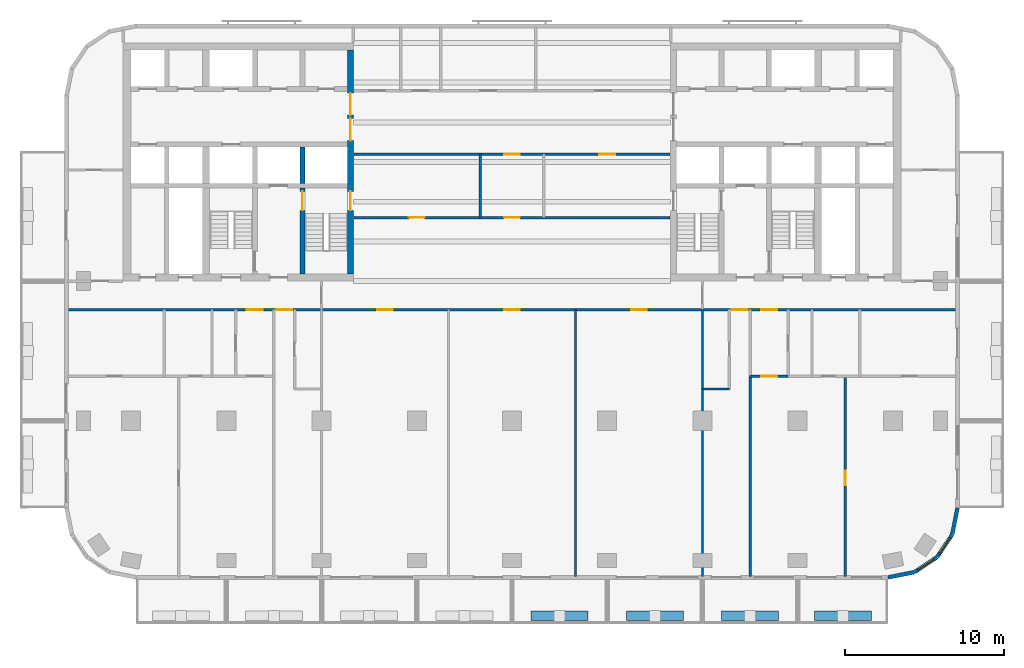
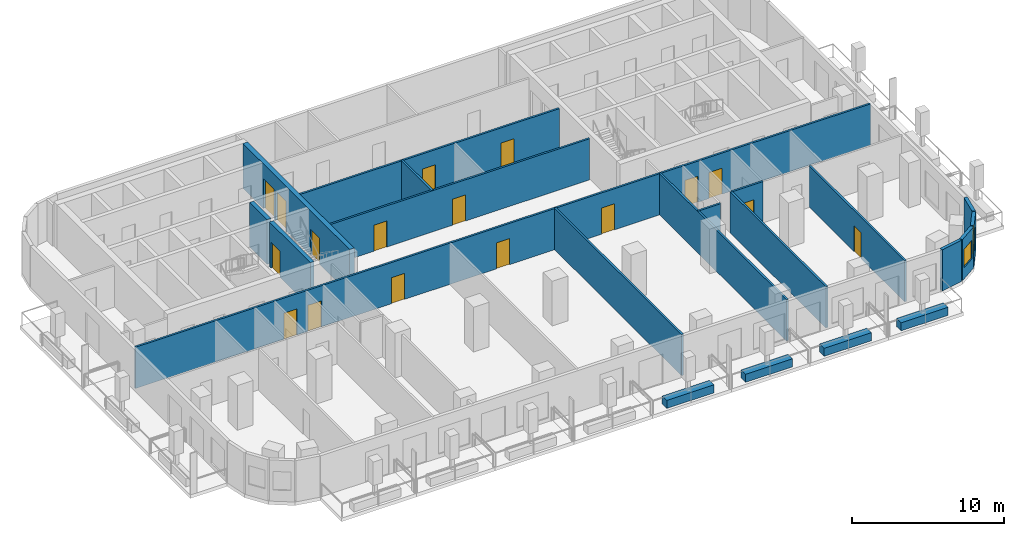
# One storey, part 4 of 11: 21 walls, 17 doors, 2 windows, 19 openings.
"""IFC4 building model written with IfcOpenShell, lengths in metres."""

from ifc_helpers import new_model, si_unit, direction, frame, frame_2d, origin, place, context, subcontext, project, spatial, rectangle, extrude, material, layer, layer_set, type_object, element, fill, save


model = new_model("IFC4")

# Units and contexts
model_context = context("Model", 3, precision=1e-05, world=origin(), true_north=direction((0.0, 1.0)))
body_context = subcontext(model_context, "Body", "Model", "MODEL_VIEW")
ifc_project = project(units=[si_unit("LENGTHUNIT", "METRE"), si_unit("AREAUNIT", "SQUARE_METRE"), si_unit("VOLUMEUNIT", "CUBIC_METRE"), si_unit("PLANEANGLEUNIT", "RADIAN"), si_unit("MASSUNIT", "GRAM", prefix="KILO")], contexts=[model_context])

# Site, building, storey
site_placement = place(None, origin())
site = spatial("IfcSite", under=ifc_project, at=site_placement, CompositionType="ELEMENT")
building_placement = place(site_placement, origin())
building = spatial("IfcBuilding", under=site, at=building_placement, Name="Torana Hotel and Residences", CompositionType="ELEMENT")
storey_placement = place(building_placement, frame((0.0, 0.0, 145.199951171875)))
storey = spatial("IfcBuildingStorey", under=building, at=storey_placement, Name="L37", CompositionType="ELEMENT", Elevation=145.199951171875)

# Wall
ifc_material_1 = material(Name="Concrete C70/85", Category="concrete")
ifc_layer_1 = layer(ifc_material_1, 0.300048828125)
ifc_layer_set_1 = layer_set([ifc_layer_1], Name="CORE WALL 300 C70/85")
wall_type_1 = type_object("IfcWallType", Name="CORE WALL 300 C70/85", PredefinedType="SHEAR", material=ifc_layer_set_1)
wall_1_placement = place(storey_placement, frame((-13.199951171875, -8.85009765625, 0.0), z_axis=(0.0, 0.0, 1.0), x_axis=(0.0, 1.0, 0.0)))
element("IfcWall", 1, at=wall_1_placement, inside=storey, type_object=wall_type_1, Name="Core wall W x3.05-S", PredefinedType="SHEAR", context=body_context, shape_type="SweptSolid", body=[
    extrude(rectangle(XDim=2.300048828125, YDim=0.300048828125, at=frame_2d((1.14990234375, 0.0))), origin(), (0.0, 0.0, 1.0), 3.60009765625),
])

# Wall, opening, door
wall_2_placement = place(storey_placement, frame((-13.199951171875, -14.550048828125, 0.0), z_axis=(0.0, 0.0, 1.0), x_axis=(0.0, 1.0, 0.0)))
wall_2 = element("IfcWall", 2, at=wall_2_placement, inside=storey, type_object=wall_type_1, Name="Core wall W x3.05-band", PredefinedType="SHEAR", context=body_context, shape_type="SweptSolid", body=[
    extrude(rectangle(XDim=5.400146484375, YDim=0.300048828125, at=frame_2d((2.7001953125, 0.0))), origin(), (0.0, 0.0, 1.0), 3.60009765625),
])
opening_1_placement = place(wall_2_placement, frame((4.0, 0.0, 0.0)))
opening_1 = element("IfcOpeningElement", 3, at=opening_1_placement, cuts=wall_2, Name="Opening L37-12", PredefinedType="OPENING", context=body_context, shape_type="SweptSolid", body=[
    extrude(rectangle(XDim=1.199951171875, YDim=2.10009765625, at=frame_2d((0.60009765625, 1.050048828125))), frame((0.0, 0.159912109375, 0.0), z_axis=(0.0, -1.0, 0.0), x_axis=(1.0, 0.0, 0.0)), (0.0, 0.0, 1.0), 0.320068359375),
])
ifc_material_2 = material(Name="Steel S235", Category="steel")
door_type_1 = type_object("IfcDoorType", Name="STAIR FIRE DOOR D3 1200x2100", OperationType="SINGLE_SWING_LEFT", PredefinedType="DOOR", material=ifc_material_2)
door_1_placement = place(opening_1_placement, frame((0.60009765625, 0.0, 0.0), z_axis=(0.0, 0.0, 1.0), x_axis=(-1.0, 0.0, 0.0)))
door_1 = element("IfcDoor", 4, at=door_1_placement, inside=storey, type_object=door_type_1, Name="Stair-A-lobby door L37", OperationType="SINGLE_SWING_RIGHT", OverallHeight=2.10009765625, OverallWidth=1.199951171875, PredefinedType="DOOR", context=body_context, shape_type="SweptSolid", body=[
    extrude(rectangle(XDim=1.199951171875, YDim=2.10009765625, at=frame_2d((0.0, 1.050048828125))), frame((0.0, -0.02490234375, 0.0), z_axis=(0.0, 1.0, 0.0), x_axis=(-1.0, 0.0, 0.0)), (0.0, 0.0, 1.0), 0.050048828125),
])
fill(opening_1, door_1)

# Wall, openings, doors
ifc_material_3 = material(Name="Concrete C70/85", Category="concrete")
ifc_layer_2 = layer(ifc_material_3, 0.35009765625)
ifc_layer_set_2 = layer_set([ifc_layer_2], Name="CORE WALL 350 C70/85")
wall_type_2 = type_object("IfcWallType", Name="CORE WALL 350 C70/85", PredefinedType="SHEAR", material=ifc_layer_set_2)
wall_3_placement = place(storey_placement, frame((-10.175048828125, -14.550048828125, 0.0), z_axis=(0.0, 0.0, 1.0), x_axis=(0.0, 1.0, 0.0)))
wall_3 = element("IfcWall", 5, at=wall_3_placement, inside=storey, type_object=wall_type_2, Name="Core wall W arch", PredefinedType="SHEAR", context=body_context, shape_type="SweptSolid", body=[
    extrude(rectangle(XDim=14.10009765625, YDim=0.35009765625, at=frame_2d((7.050048828125, 0.0))), origin(), (0.0, 0.0, 1.0), 3.60009765625),
])
opening_2_placement = place(wall_3_placement, frame((8.39990234375, 0.0, 0.0)))
opening_2 = element("IfcOpeningElement", 6, at=opening_2_placement, cuts=wall_3, Name="Opening L37-01", PredefinedType="OPENING", context=body_context, shape_type="SweptSolid", body=[
    extrude(rectangle(XDim=1.39990234375, YDim=2.39990234375, at=frame_2d((0.699951171875, 1.199951171875))), frame((0.0, 0.18505859375, 0.0), z_axis=(0.0, -1.0, 0.0), x_axis=(1.0, 0.0, 0.0)), (0.0, 0.0, 1.0), 0.3701171875),
])
opening_3_placement = place(wall_3_placement, frame((10.0, 0.0, 0.0)))
opening_3 = element("IfcOpeningElement", 7, at=opening_3_placement, cuts=wall_3, Name="Opening L37-02", PredefinedType="OPENING", context=body_context, shape_type="SweptSolid", body=[
    extrude(rectangle(XDim=1.39990234375, YDim=2.39990234375, at=frame_2d((0.699951171875, 1.199951171875))), frame((0.0, 0.18505859375, 0.0), z_axis=(0.0, -1.0, 0.0), x_axis=(1.0, 0.0, 0.0)), (0.0, 0.0, 1.0), 0.3701171875),
])
opening_4_placement = place(wall_3_placement, frame((4.0, 0.0, 0.0)))
opening_4 = element("IfcOpeningElement", 8, at=opening_4_placement, cuts=wall_3, Name="Opening L37-03", PredefinedType="OPENING", context=body_context, shape_type="SweptSolid", body=[
    extrude(rectangle(XDim=1.199951171875, YDim=2.10009765625, at=frame_2d((0.60009765625, 1.050048828125))), frame((0.0, 0.18505859375, 0.0), z_axis=(0.0, -1.0, 0.0), x_axis=(1.0, 0.0, 0.0)), (0.0, 0.0, 1.0), 0.3701171875),
])
ifc_material_4 = material(Name="Steel S235", Category="steel")
door_type_2 = type_object("IfcDoorType", Name="LOBBY FIRE DOOR D4 1400x2400", OperationType="DOUBLE_DOOR_SINGLE_SWING", PredefinedType="DOOR", material=ifc_material_4)
door_2_placement = place(opening_2_placement, origin())
door_2 = element("IfcDoor", 9, at=door_2_placement, inside=storey, type_object=door_type_2, Name="Lobby-1 door L37", OperationType="DOUBLE_DOOR_SINGLE_SWING", OverallHeight=2.39990234375, OverallWidth=1.39990234375, PredefinedType="DOOR", context=body_context, shape_type="SweptSolid", body=[
    extrude(rectangle(XDim=1.39990234375, YDim=2.39990234375, at=frame_2d((0.699951171875, 1.199951171875))), frame((0.0, 0.02490234375, 0.0), z_axis=(0.0, -1.0, 0.0), x_axis=(1.0, 0.0, 0.0)), (0.0, 0.0, 1.0), 0.050048828125),
])
fill(opening_2, door_2)
door_3_placement = place(opening_3_placement, origin())
door_3 = element("IfcDoor", 10, at=door_3_placement, inside=storey, type_object=door_type_2, Name="Lobby-2 door L37", OperationType="DOUBLE_DOOR_SINGLE_SWING", OverallHeight=2.39990234375, OverallWidth=1.39990234375, PredefinedType="DOOR", context=body_context, shape_type="SweptSolid", body=[
    extrude(rectangle(XDim=1.39990234375, YDim=2.39990234375, at=frame_2d((0.699951171875, 1.199951171875))), frame((0.0, 0.02490234375, 0.0), z_axis=(0.0, -1.0, 0.0), x_axis=(1.0, 0.0, 0.0)), (0.0, 0.0, 1.0), 0.050048828125),
])
fill(opening_3, door_3)
door_4_placement = place(opening_4_placement, origin())
door_4 = element("IfcDoor", 11, at=door_4_placement, inside=storey, type_object=door_type_1, Name="Stair-A door L37", OperationType="SINGLE_SWING_LEFT", OverallHeight=2.10009765625, OverallWidth=1.199951171875, PredefinedType="DOOR", context=body_context, shape_type="SweptSolid", body=[
    extrude(rectangle(XDim=1.199951171875, YDim=2.10009765625, at=frame_2d((0.60009765625, 1.050048828125))), frame((0.0, 0.02490234375, 0.0), z_axis=(0.0, -1.0, 0.0), x_axis=(1.0, 0.0, 0.0)), (0.0, 0.0, 1.0), 0.050048828125),
])
fill(opening_4, door_4)

# Wall
ifc_material_5 = material(Name="Black aluminium composite panel", Category="aluminium")
ifc_layer_3 = layer(ifc_material_5, 0.00390625, Name="Cladding", Category="cladding")
ifc_material_6 = material(Name="Ventilated air cavity")
ifc_layer_4 = layer(ifc_material_6, 0.0400390625, Name="Ventilated cavity", Category="cavity")
ifc_material_7 = material(Name="Mineral wool insulation")
ifc_layer_5 = layer(ifc_material_7, 0.090087890625, Name="Insulation", Category="insulation")
ifc_material_8 = material(Name="Steel S280GD", Category="steel")
ifc_layer_6 = layer(ifc_material_8, 0.092041015625, Name="Steel stud frame", Category="structure")
ifc_material_9 = material(Name="Fire rated plasterboard")
ifc_layer_7 = layer(ifc_material_9, 0.011962890625, Name="Inner board", Category="finish")
ifc_layer_8 = layer(ifc_material_9, 0.011962890625, Name="Second board", Category="finish")
ifc_layer_set_3 = layer_set([ifc_layer_3, ifc_layer_4, ifc_layer_5, ifc_layer_6, ifc_layer_7, ifc_layer_8], Name="EW1 EXTERNAL WALL BLACK METAL CLAD 250")
wall_type_3 = type_object("IfcWallType", Name="EW1 EXTERNAL WALL BLACK METAL CLAD 250", PredefinedType="SOLIDWALL", material=ifc_layer_set_3)
wall_4_placement = place(storey_placement, frame((23.69970703125, -33.672607421875, 0.0), z_axis=(0.0, 0.0, 1.0), x_axis=(0.980775640221, 0.19513878023, 0.0)))
element("IfcWall", 12, at=wall_4_placement, inside=storey, type_object=wall_type_3, Name="External wall L37 e0.15", PredefinedType="SOLIDWALL", context=body_context, shape_type="SweptSolid", body=[
    extrude(rectangle(XDim=1.681396484375, YDim=0.25, at=frame_2d((0.8408203125, 0.0))), origin(), (0.0, 0.0, 1.0), 3.320068359375),
])

# Wall, opening, window
wall_5_placement = place(storey_placement, frame((25.39404296875, -33.325927734375, 0.0), z_axis=(0.0, 0.0, 1.0), x_axis=(0.831482937015, 0.55555029066, 0.0)))
wall_5 = element("IfcWall", 13, at=wall_5_placement, inside=storey, type_object=wall_type_3, Name="External wall L37 e0.16", PredefinedType="SOLIDWALL", context=body_context, shape_type="SweptSolid", body=[
    extrude(rectangle(XDim=1.65625, YDim=0.25, at=frame_2d((0.828125, 0.0))), origin(), (0.0, 0.0, 1.0), 3.320068359375),
])
opening_5_placement = place(wall_5_placement, frame((0.228271484375, 0.0, 0.89990234375)))
opening_5 = element("IfcOpeningElement", 14, at=opening_5_placement, cuts=wall_5, Name="Opening W5", PredefinedType="OPENING", context=body_context, shape_type="SweptSolid", body=[
    extrude(rectangle(XDim=1.199951171875, YDim=1.5, at=frame_2d((0.60009765625, 0.75))), frame((0.0, 0.135009765625, 0.0), z_axis=(0.0, -1.0, 0.0), x_axis=(1.0, 0.0, 0.0)), (0.0, 0.0, 1.0), 0.27001953125),
])
ifc_material_10 = material(Name="Dark glass in black aluminium frame", Category="aluminium")
window_type = type_object("IfcWindowType", Name="W5 CORNER FACET WINDOW 1200x1500", PartitioningType="SINGLE_PANEL", PredefinedType="WINDOW", material=ifc_material_10)
window_1_placement = place(opening_5_placement, origin())
window_1 = element("IfcWindow", 15, at=window_1_placement, inside=storey, type_object=window_type, Name="Window L37 e0.16", OverallHeight=1.5, OverallWidth=1.199951171875, PartitioningType="SINGLE_PANEL", PredefinedType="WINDOW", context=body_context, shape_type="SweptSolid", body=[
    extrude(rectangle(XDim=1.199951171875, YDim=1.5, at=frame_2d((0.60009765625, 0.75))), frame((0.0, 0.030029296875, 0.0), z_axis=(0.0, -1.0, 0.0), x_axis=(1.0, 0.0, 0.0)), (0.0, 0.0, 1.0), 0.06005859375),
])
fill(opening_5, window_1)

wall_6_placement = place(storey_placement, frame((26.8056640625, -32.37109375, 0.0), z_axis=(0.0, 0.0, 1.0), x_axis=(0.55555029066, 0.831482937015, 0.0)))
wall_6 = element("IfcWall", 16, at=wall_6_placement, inside=storey, type_object=wall_type_3, Name="External wall L37 e0.17", PredefinedType="SOLIDWALL", context=body_context, shape_type="SweptSolid", body=[
    extrude(rectangle(XDim=1.65625, YDim=0.25, at=frame_2d((0.828125, 0.0))), origin(), (0.0, 0.0, 1.0), 3.320068359375),
])
opening_6_placement = place(wall_6_placement, frame((0.228271484375, 0.0, 0.89990234375)))
opening_6 = element("IfcOpeningElement", 17, at=opening_6_placement, cuts=wall_6, Name="Opening W5", PredefinedType="OPENING", context=body_context, shape_type="SweptSolid", body=[
    extrude(rectangle(XDim=1.199951171875, YDim=1.5, at=frame_2d((0.60009765625, 0.75))), frame((0.0, 0.135009765625, 0.0), z_axis=(0.0, -1.0, 0.0), x_axis=(1.0, 0.0, 0.0)), (0.0, 0.0, 1.0), 0.27001953125),
])
window_2_placement = place(opening_6_placement, origin())
window_2 = element("IfcWindow", 18, at=window_2_placement, inside=storey, type_object=window_type, Name="Window L37 e0.17", OverallHeight=1.5, OverallWidth=1.199951171875, PartitioningType="SINGLE_PANEL", PredefinedType="WINDOW", context=body_context, shape_type="SweptSolid", body=[
    extrude(rectangle(XDim=1.199951171875, YDim=1.5, at=frame_2d((0.60009765625, 0.75))), frame((0.0, 0.030029296875, 0.0), z_axis=(0.0, -1.0, 0.0), x_axis=(1.0, 0.0, 0.0)), (0.0, 0.0, 1.0), 0.06005859375),
])
fill(opening_6, window_2)

# Walls
wall_7_placement = place(storey_placement, frame((27.74462890625, -30.948974609375, 0.0), z_axis=(0.0, 0.0, 1.0), x_axis=(0.194999110559, 0.980803419081, 0.0)))
element("IfcWall", 19, at=wall_7_placement, inside=storey, type_object=wall_type_3, Name="External wall L37 e0.18", PredefinedType="SOLIDWALL", context=body_context, shape_type="SweptSolid", body=[
    extrude(rectangle(XDim=1.681396484375, YDim=0.25, at=frame_2d((0.8408203125, 0.0))), origin(), (0.0, 0.0, 1.0), 3.320068359375),
])
ifc_material_11 = material(Name="Gypsum plaster")
ifc_layer_9 = layer(ifc_material_11, 0.014892578125, Name="Plaster", Category="finish")
ifc_material_12 = material(Name="Concrete blockwork", Category="masonry")
ifc_layer_10 = layer(ifc_material_12, 0.1201171875, Name="Blockwork", Category="structure")
ifc_layer_11 = layer(ifc_material_11, 0.014892578125, Name="Plaster", Category="finish")
ifc_layer_set_4 = layer_set([ifc_layer_9, ifc_layer_10, ifc_layer_11], Name="FIRE PARTITION 150 BLOCKWORK")
wall_type_4 = type_object("IfcWallType", Name="FIRE PARTITION 150 BLOCKWORK", PredefinedType="PARTITIONING", material=ifc_layer_set_4)
wall_8_placement = place(storey_placement, frame((-2.0, -11.0, 0.0), z_axis=(0.0, 0.0, 1.0), x_axis=(0.0, 1.0, 0.0)))
element("IfcWall", 20, at=wall_8_placement, inside=storey, type_object=wall_type_4, Name="Partition L37", PredefinedType="PARTITIONING", context=body_context, shape_type="SweptSolid", body=[
    extrude(rectangle(XDim=4.0, YDim=0.14990234375, at=frame_2d((2.0, 0.0))), origin(), (0.0, 0.0, 1.0), 3.320068359375),
])

# Wall, opening, door
wall_9_placement = place(storey_placement, frame((15.0, -21.0, 0.0), z_axis=(0.0, 0.0, 1.0), x_axis=(1.0, 0.0, 0.0)))
wall_9 = element("IfcWall", 21, at=wall_9_placement, inside=storey, type_object=wall_type_4, Name="Partition L37", PredefinedType="PARTITIONING", context=body_context, shape_type="SweptSolid", body=[
    extrude(rectangle(XDim=2.39990234375, YDim=0.14990234375, at=frame_2d((1.199951171875, 0.0))), origin(), (0.0, 0.0, 1.0), 3.320068359375),
])
opening_7_placement = place(wall_9_placement, frame((0.699951171875, 0.0, 0.0)))
opening_7 = element("IfcOpeningElement", 22, at=opening_7_placement, cuts=wall_9, Name="Opening L37-54", PredefinedType="OPENING", context=body_context, shape_type="SweptSolid", body=[
    extrude(rectangle(XDim=1.0, YDim=2.10009765625, at=frame_2d((0.5, 1.050048828125))), frame((0.0, 0.0849609375, 0.0), z_axis=(0.0, -1.0, 0.0), x_axis=(1.0, 0.0, 0.0)), (0.0, 0.0, 1.0), 0.169921875),
])
ifc_material_13 = material(Name="Steel S235", Category="steel")
door_type_3 = type_object("IfcDoorType", Name="ENTRY FIRE DOOR D6 1000x2100", OperationType="SINGLE_SWING_LEFT", PredefinedType="DOOR", material=ifc_material_13)
door_5_placement = place(opening_7_placement, frame((0.5, 0.0, 0.0), z_axis=(0.0, 0.0, 1.0), x_axis=(-1.0, 0.0, 0.0)))
door_5 = element("IfcDoor", 23, at=door_5_placement, inside=storey, type_object=door_type_3, Name="Door L37", OperationType="SINGLE_SWING_LEFT", OverallHeight=2.10009765625, OverallWidth=1.0, PredefinedType="DOOR", context=body_context, shape_type="SweptSolid", body=[
    extrude(rectangle(XDim=1.0, YDim=2.10009765625, at=frame_2d((0.0, 1.050048828125))), frame((0.0, -0.02490234375, 0.0), z_axis=(0.0, 1.0, 0.0), x_axis=(-1.0, 0.0, 0.0)), (0.0, 0.0, 1.0), 0.050048828125),
])
fill(opening_7, door_5)

# Wall, openings, doors
wall_10_placement = place(storey_placement, frame((-28.02001953125, -16.800048828125, 0.0), z_axis=(0.0, 0.0, 1.0), x_axis=(1.0, 0.0, 0.0)))
wall_10 = element("IfcWall", 24, at=wall_10_placement, inside=storey, type_object=wall_type_4, Name="Partition L37", PredefinedType="PARTITIONING", context=body_context, shape_type="SweptSolid", body=[
    extrude(rectangle(XDim=56.0400390625, YDim=0.14990234375, at=frame_2d((28.02001953125, 0.0))), origin(), (0.0, 0.0, 1.0), 3.320068359375),
])
opening_8_placement = place(wall_10_placement, frame((13.169921875, 0.0, 0.0)))
opening_8 = element("IfcOpeningElement", 25, at=opening_8_placement, cuts=wall_10, Name="Opening L37-28", PredefinedType="OPENING", context=body_context, shape_type="SweptSolid", body=[
    extrude(rectangle(XDim=1.0, YDim=2.10009765625, at=frame_2d((0.5, 1.050048828125))), frame((0.0, 0.0849609375, 0.0), z_axis=(0.0, -1.0, 0.0), x_axis=(1.0, 0.0, 0.0)), (0.0, 0.0, 1.0), 0.169921875),
])
opening_9_placement = place(wall_10_placement, frame((11.320068359375, 0.0, 0.0)))
opening_9 = element("IfcOpeningElement", 26, at=opening_9_placement, cuts=wall_10, Name="Opening L37-29", PredefinedType="OPENING", context=body_context, shape_type="SweptSolid", body=[
    extrude(rectangle(XDim=1.0, YDim=2.10009765625, at=frame_2d((0.5, 1.050048828125))), frame((0.0, 0.0849609375, 0.0), z_axis=(0.0, -1.0, 0.0), x_axis=(1.0, 0.0, 0.0)), (0.0, 0.0, 1.0), 0.169921875),
])
opening_10_placement = place(wall_10_placement, frame((41.8701171875, 0.0, 0.0)))
opening_10 = element("IfcOpeningElement", 27, at=opening_10_placement, cuts=wall_10, Name="Opening L37-32", PredefinedType="OPENING", context=body_context, shape_type="SweptSolid", body=[
    extrude(rectangle(XDim=1.0, YDim=2.10009765625, at=frame_2d((0.5, 1.050048828125))), frame((0.0, 0.0849609375, 0.0), z_axis=(0.0, -1.0, 0.0), x_axis=(1.0, 0.0, 0.0)), (0.0, 0.0, 1.0), 0.169921875),
])
opening_11_placement = place(wall_10_placement, frame((43.719970703125, 0.0, 0.0)))
opening_11 = element("IfcOpeningElement", 28, at=opening_11_placement, cuts=wall_10, Name="Opening L37-33", PredefinedType="OPENING", context=body_context, shape_type="SweptSolid", body=[
    extrude(rectangle(XDim=1.0, YDim=2.10009765625, at=frame_2d((0.5, 1.050048828125))), frame((0.0, 0.0849609375, 0.0), z_axis=(0.0, -1.0, 0.0), x_axis=(1.0, 0.0, 0.0)), (0.0, 0.0, 1.0), 0.169921875),
])
opening_12_placement = place(wall_10_placement, frame((19.52001953125, 0.0, 0.0)))
opening_12 = element("IfcOpeningElement", 29, at=opening_12_placement, cuts=wall_10, Name="Opening L37-36", PredefinedType="OPENING", context=body_context, shape_type="SweptSolid", body=[
    extrude(rectangle(XDim=1.0, YDim=2.10009765625, at=frame_2d((0.5, 1.050048828125))), frame((0.0, 0.0849609375, 0.0), z_axis=(0.0, -1.0, 0.0), x_axis=(1.0, 0.0, 0.0)), (0.0, 0.0, 1.0), 0.169921875),
])
opening_13_placement = place(wall_10_placement, frame((27.52001953125, 0.0, 0.0)))
opening_13 = element("IfcOpeningElement", 30, at=opening_13_placement, cuts=wall_10, Name="Opening L37-37", PredefinedType="OPENING", context=body_context, shape_type="SweptSolid", body=[
    extrude(rectangle(XDim=1.0, YDim=2.10009765625, at=frame_2d((0.5, 1.050048828125))), frame((0.0, 0.0849609375, 0.0), z_axis=(0.0, -1.0, 0.0), x_axis=(1.0, 0.0, 0.0)), (0.0, 0.0, 1.0), 0.169921875),
])
opening_14_placement = place(wall_10_placement, frame((35.52001953125, 0.0, 0.0)))
opening_14 = element("IfcOpeningElement", 31, at=opening_14_placement, cuts=wall_10, Name="Opening L37-38", PredefinedType="OPENING", context=body_context, shape_type="SweptSolid", body=[
    extrude(rectangle(XDim=1.0, YDim=2.10009765625, at=frame_2d((0.5, 1.050048828125))), frame((0.0, 0.0849609375, 0.0), z_axis=(0.0, -1.0, 0.0), x_axis=(1.0, 0.0, 0.0)), (0.0, 0.0, 1.0), 0.169921875),
])
door_6_placement = place(opening_8_placement, frame((0.5, 0.0, 0.0), z_axis=(0.0, 0.0, 1.0), x_axis=(-1.0, 0.0, 0.0)))
door_6 = element("IfcDoor", 32, at=door_6_placement, inside=storey, type_object=door_type_3, Name="Door L37", OperationType="SINGLE_SWING_LEFT", OverallHeight=2.10009765625, OverallWidth=1.0, PredefinedType="DOOR", context=body_context, shape_type="SweptSolid", body=[
    extrude(rectangle(XDim=1.0, YDim=2.10009765625, at=frame_2d((0.0, 1.050048828125))), frame((0.0, -0.02490234375, 0.0), z_axis=(0.0, 1.0, 0.0), x_axis=(-1.0, 0.0, 0.0)), (0.0, 0.0, 1.0), 0.050048828125),
])
fill(opening_8, door_6)
door_7_placement = place(opening_9_placement, origin())
door_7 = element("IfcDoor", 33, at=door_7_placement, inside=storey, type_object=door_type_3, Name="Door L37", OperationType="SINGLE_SWING_RIGHT", OverallHeight=2.10009765625, OverallWidth=1.0, PredefinedType="DOOR", context=body_context, shape_type="SweptSolid", body=[
    extrude(rectangle(XDim=1.0, YDim=2.10009765625, at=frame_2d((0.5, 1.050048828125))), frame((0.0, 0.02490234375, 0.0), z_axis=(0.0, -1.0, 0.0), x_axis=(1.0, 0.0, 0.0)), (0.0, 0.0, 1.0), 0.050048828125),
])
fill(opening_9, door_7)
door_8_placement = place(opening_10_placement, frame((0.5, 0.0, 0.0), z_axis=(0.0, 0.0, 1.0), x_axis=(-1.0, 0.0, 0.0)))
door_8 = element("IfcDoor", 34, at=door_8_placement, inside=storey, type_object=door_type_3, Name="Door L37", OperationType="SINGLE_SWING_LEFT", OverallHeight=2.10009765625, OverallWidth=1.0, PredefinedType="DOOR", context=body_context, shape_type="SweptSolid", body=[
    extrude(rectangle(XDim=1.0, YDim=2.10009765625, at=frame_2d((0.0, 1.050048828125))), frame((0.0, -0.02490234375, 0.0), z_axis=(0.0, 1.0, 0.0), x_axis=(-1.0, 0.0, 0.0)), (0.0, 0.0, 1.0), 0.050048828125),
])
fill(opening_10, door_8)
door_9_placement = place(opening_11_placement, origin())
door_9 = element("IfcDoor", 35, at=door_9_placement, inside=storey, type_object=door_type_3, Name="Door L37", OperationType="SINGLE_SWING_RIGHT", OverallHeight=2.10009765625, OverallWidth=1.0, PredefinedType="DOOR", context=body_context, shape_type="SweptSolid", body=[
    extrude(rectangle(XDim=1.0, YDim=2.10009765625, at=frame_2d((0.5, 1.050048828125))), frame((0.0, 0.02490234375, 0.0), z_axis=(0.0, -1.0, 0.0), x_axis=(1.0, 0.0, 0.0)), (0.0, 0.0, 1.0), 0.050048828125),
])
fill(opening_11, door_9)
door_10_placement = place(opening_12_placement, frame((0.5, 0.0, 0.0), z_axis=(0.0, 0.0, 1.0), x_axis=(-1.0, 0.0, 0.0)))
door_10 = element("IfcDoor", 36, at=door_10_placement, inside=storey, type_object=door_type_3, Name="Door L37", OperationType="SINGLE_SWING_LEFT", OverallHeight=2.10009765625, OverallWidth=1.0, PredefinedType="DOOR", context=body_context, shape_type="SweptSolid", body=[
    extrude(rectangle(XDim=1.0, YDim=2.10009765625, at=frame_2d((0.0, 1.050048828125))), frame((0.0, -0.02490234375, 0.0), z_axis=(0.0, 1.0, 0.0), x_axis=(-1.0, 0.0, 0.0)), (0.0, 0.0, 1.0), 0.050048828125),
])
fill(opening_12, door_10)
door_11_placement = place(opening_13_placement, frame((0.5, 0.0, 0.0), z_axis=(0.0, 0.0, 1.0), x_axis=(-1.0, 0.0, 0.0)))
door_11 = element("IfcDoor", 37, at=door_11_placement, inside=storey, type_object=door_type_3, Name="Door L37", OperationType="SINGLE_SWING_LEFT", OverallHeight=2.10009765625, OverallWidth=1.0, PredefinedType="DOOR", context=body_context, shape_type="SweptSolid", body=[
    extrude(rectangle(XDim=1.0, YDim=2.10009765625, at=frame_2d((0.0, 1.050048828125))), frame((0.0, -0.02490234375, 0.0), z_axis=(0.0, 1.0, 0.0), x_axis=(-1.0, 0.0, 0.0)), (0.0, 0.0, 1.0), 0.050048828125),
])
fill(opening_13, door_11)
door_12_placement = place(opening_14_placement, frame((0.5, 0.0, 0.0), z_axis=(0.0, 0.0, 1.0), x_axis=(-1.0, 0.0, 0.0)))
door_12 = element("IfcDoor", 38, at=door_12_placement, inside=storey, type_object=door_type_3, Name="Door L37", OperationType="SINGLE_SWING_LEFT", OverallHeight=2.10009765625, OverallWidth=1.0, PredefinedType="DOOR", context=body_context, shape_type="SweptSolid", body=[
    extrude(rectangle(XDim=1.0, YDim=2.10009765625, at=frame_2d((0.0, 1.050048828125))), frame((0.0, -0.02490234375, 0.0), z_axis=(0.0, 1.0, 0.0), x_axis=(-1.0, 0.0, 0.0)), (0.0, 0.0, 1.0), 0.050048828125),
])
fill(opening_14, door_12)

wall_11_placement = place(storey_placement, frame((-9.949951171875, -11.0, 0.0), z_axis=(0.0, 0.0, 1.0), x_axis=(1.0, 0.0, 0.0)))
wall_11 = element("IfcWall", 39, at=wall_11_placement, inside=storey, type_object=wall_type_4, Name="Partition L37", PredefinedType="PARTITIONING", context=body_context, shape_type="SweptSolid", body=[
    extrude(rectangle(XDim=19.89990234375, YDim=0.14990234375, at=frame_2d((9.949951171875, 0.0))), origin(), (0.0, 0.0, 1.0), 3.320068359375),
])
opening_15_placement = place(wall_11_placement, frame((9.449951171875, 0.0, 0.0)))
opening_15 = element("IfcOpeningElement", 40, at=opening_15_placement, cuts=wall_11, Name="Opening L37-35", PredefinedType="OPENING", context=body_context, shape_type="SweptSolid", body=[
    extrude(rectangle(XDim=1.0, YDim=2.10009765625, at=frame_2d((0.5, 1.050048828125))), frame((0.0, 0.0849609375, 0.0), z_axis=(0.0, -1.0, 0.0), x_axis=(1.0, 0.0, 0.0)), (0.0, 0.0, 1.0), 0.169921875),
])
opening_16_placement = place(wall_11_placement, frame((3.449951171875, 0.0, 0.0)))
opening_16 = element("IfcOpeningElement", 41, at=opening_16_placement, cuts=wall_11, Name="Opening L37-39", PredefinedType="OPENING", context=body_context, shape_type="SweptSolid", body=[
    extrude(rectangle(XDim=1.0, YDim=2.10009765625, at=frame_2d((0.5, 1.050048828125))), frame((0.0, 0.0849609375, 0.0), z_axis=(0.0, -1.0, 0.0), x_axis=(1.0, 0.0, 0.0)), (0.0, 0.0, 1.0), 0.169921875),
])
door_13_placement = place(opening_15_placement, origin())
door_13 = element("IfcDoor", 42, at=door_13_placement, inside=storey, type_object=door_type_3, Name="Door L37", OperationType="SINGLE_SWING_RIGHT", OverallHeight=2.10009765625, OverallWidth=1.0, PredefinedType="DOOR", context=body_context, shape_type="SweptSolid", body=[
    extrude(rectangle(XDim=1.0, YDim=2.10009765625, at=frame_2d((0.5, 1.050048828125))), frame((0.0, 0.02490234375, 0.0), z_axis=(0.0, -1.0, 0.0), x_axis=(1.0, 0.0, 0.0)), (0.0, 0.0, 1.0), 0.050048828125),
])
fill(opening_15, door_13)
door_14_placement = place(opening_16_placement, origin())
door_14 = element("IfcDoor", 43, at=door_14_placement, inside=storey, type_object=door_type_3, Name="Door L37", OperationType="SINGLE_SWING_RIGHT", OverallHeight=2.10009765625, OverallWidth=1.0, PredefinedType="DOOR", context=body_context, shape_type="SweptSolid", body=[
    extrude(rectangle(XDim=1.0, YDim=2.10009765625, at=frame_2d((0.5, 1.050048828125))), frame((0.0, 0.02490234375, 0.0), z_axis=(0.0, -1.0, 0.0), x_axis=(1.0, 0.0, 0.0)), (0.0, 0.0, 1.0), 0.050048828125),
])
fill(opening_16, door_14)

wall_12_placement = place(storey_placement, frame((-9.949951171875, -7.0, 0.0), z_axis=(0.0, 0.0, 1.0), x_axis=(1.0, 0.0, 0.0)))
wall_12 = element("IfcWall", 44, at=wall_12_placement, inside=storey, type_object=wall_type_4, Name="Partition L37", PredefinedType="PARTITIONING", context=body_context, shape_type="SweptSolid", body=[
    extrude(rectangle(XDim=19.89990234375, YDim=0.14990234375, at=frame_2d((9.949951171875, 0.0))), origin(), (0.0, 0.0, 1.0), 3.320068359375),
])
opening_17_placement = place(wall_12_placement, frame((9.449951171875, 0.0, 0.0)))
opening_17 = element("IfcOpeningElement", 45, at=opening_17_placement, cuts=wall_12, Name="Opening L37-40", PredefinedType="OPENING", context=body_context, shape_type="SweptSolid", body=[
    extrude(rectangle(XDim=1.0, YDim=2.10009765625, at=frame_2d((0.5, 1.050048828125))), frame((0.0, 0.0849609375, 0.0), z_axis=(0.0, -1.0, 0.0), x_axis=(1.0, 0.0, 0.0)), (0.0, 0.0, 1.0), 0.169921875),
])
opening_18_placement = place(wall_12_placement, frame((15.449951171875, 0.0, 0.0)))
opening_18 = element("IfcOpeningElement", 46, at=opening_18_placement, cuts=wall_12, Name="Opening L37-41", PredefinedType="OPENING", context=body_context, shape_type="SweptSolid", body=[
    extrude(rectangle(XDim=1.0, YDim=2.10009765625, at=frame_2d((0.5, 1.050048828125))), frame((0.0, 0.0849609375, 0.0), z_axis=(0.0, -1.0, 0.0), x_axis=(1.0, 0.0, 0.0)), (0.0, 0.0, 1.0), 0.169921875),
])
door_15_placement = place(opening_17_placement, origin())
door_15 = element("IfcDoor", 47, at=door_15_placement, inside=storey, type_object=door_type_3, Name="Door L37", OperationType="SINGLE_SWING_RIGHT", OverallHeight=2.10009765625, OverallWidth=1.0, PredefinedType="DOOR", context=body_context, shape_type="SweptSolid", body=[
    extrude(rectangle(XDim=1.0, YDim=2.10009765625, at=frame_2d((0.5, 1.050048828125))), frame((0.0, 0.02490234375, 0.0), z_axis=(0.0, -1.0, 0.0), x_axis=(1.0, 0.0, 0.0)), (0.0, 0.0, 1.0), 0.050048828125),
])
fill(opening_17, door_15)
door_16_placement = place(opening_18_placement, frame((0.5, 0.0, 0.0), z_axis=(0.0, 0.0, 1.0), x_axis=(-1.0, 0.0, 0.0)))
door_16 = element("IfcDoor", 48, at=door_16_placement, inside=storey, type_object=door_type_3, Name="Door L37", OperationType="SINGLE_SWING_LEFT", OverallHeight=2.10009765625, OverallWidth=1.0, PredefinedType="DOOR", context=body_context, shape_type="SweptSolid", body=[
    extrude(rectangle(XDim=1.0, YDim=2.10009765625, at=frame_2d((0.0, 1.050048828125))), frame((0.0, -0.02490234375, 0.0), z_axis=(0.0, 1.0, 0.0), x_axis=(-1.0, 0.0, 0.0)), (0.0, 0.0, 1.0), 0.050048828125),
])
fill(opening_18, door_16)

# Wall, opening, door
ifc_material_14 = material(Name="Gypsum plasterboard")
ifc_layer_12 = layer(ifc_material_14, 0.012451171875, Name="Plasterboard", Category="finish")
ifc_layer_13 = layer(ifc_material_14, 0.012451171875, Name="Plasterboard", Category="finish")
ifc_layer_14 = layer(ifc_material_8, 0.10009765625, Name="Steel studs with mineral wool", Category="insulation")
ifc_layer_15 = layer(ifc_material_14, 0.012451171875, Name="Plasterboard", Category="finish")
ifc_layer_16 = layer(ifc_material_14, 0.012451171875, Name="Plasterboard", Category="finish")
ifc_layer_set_5 = layer_set([ifc_layer_12, ifc_layer_13, ifc_layer_14, ifc_layer_15, ifc_layer_16], Name="PARTITION 150 PLASTERBOARD")
wall_type_5 = type_object("IfcWallType", Name="PARTITION 150 PLASTERBOARD", PredefinedType="PARTITIONING", material=ifc_layer_set_5)
wall_13_placement = place(storey_placement, frame((21.0, -33.6201171875, 0.0), z_axis=(0.0, 0.0, 1.0), x_axis=(0.0, 1.0, 0.0)))
wall_13 = element("IfcWall", 49, at=wall_13_placement, inside=storey, type_object=wall_type_5, Name="Partition L37", PredefinedType="PARTITIONING", context=body_context, shape_type="SweptSolid", body=[
    extrude(rectangle(XDim=12.6201171875, YDim=0.14990234375, at=frame_2d((6.31005859375, 0.0))), origin(), (0.0, 0.0, 1.0), 3.320068359375),
])
opening_19_placement = place(wall_13_placement, frame((5.77001953125, 0.0, 0.0)))
opening_19 = element("IfcOpeningElement", 50, at=opening_19_placement, cuts=wall_13, Name="Opening L37-57", PredefinedType="OPENING", context=body_context, shape_type="SweptSolid", body=[
    extrude(rectangle(XDim=0.89990234375, YDim=2.10009765625, at=frame_2d((0.449951171875, 1.050048828125))), frame((0.0, 0.0849609375, 0.0), z_axis=(0.0, -1.0, 0.0), x_axis=(1.0, 0.0, 0.0)), (0.0, 0.0, 1.0), 0.169921875),
])
ifc_material_15 = material(Name="Timber door, oiled ash", Category="wood")
door_type_4 = type_object("IfcDoorType", Name="ROOM DOOR D7 900x2100", OperationType="SINGLE_SWING_LEFT", PredefinedType="DOOR", material=ifc_material_15)
door_17_placement = place(opening_19_placement, origin())
door_17 = element("IfcDoor", 51, at=door_17_placement, inside=storey, type_object=door_type_4, Name="Door L37", OperationType="SINGLE_SWING_RIGHT", OverallHeight=2.10009765625, OverallWidth=0.89990234375, PredefinedType="DOOR", context=body_context, shape_type="SweptSolid", body=[
    extrude(rectangle(XDim=0.89990234375, YDim=2.10009765625, at=frame_2d((0.449951171875, 1.050048828125))), frame((0.0, 0.02490234375, 0.0), z_axis=(0.0, -1.0, 0.0), x_axis=(1.0, 0.0, 0.0)), (0.0, 0.0, 1.0), 0.050048828125),
])
fill(opening_19, door_17)

# Walls
wall_14_placement = place(storey_placement, frame((15.0, -33.6201171875, 0.0), z_axis=(0.0, 0.0, 1.0), x_axis=(0.0, 1.0, 0.0)))
element("IfcWall", 52, at=wall_14_placement, inside=storey, type_object=wall_type_5, Name="Partition L37", PredefinedType="PARTITIONING", context=body_context, shape_type="SweptSolid", body=[
    extrude(rectangle(XDim=12.6201171875, YDim=0.14990234375, at=frame_2d((6.31005859375, 0.0))), origin(), (0.0, 0.0, 1.0), 3.320068359375),
])
for number, where, z_axis, x_axis, name in (
    (53, (12.0, -33.6201171875, 0.0), (0.0, 0.0, 1.0), (0.0, 1.0, 0.0), "Partition L37"),
    (54, (4.0, -33.6201171875, 0.0), (0.0, 0.0, 1.0), (0.0, 1.0, 0.0), "Partition L37"),
):
    element("IfcWall", number, at=place(storey_placement, frame(where, z_axis=z_axis, x_axis=x_axis)), inside=storey, type_object=wall_type_5, Name=name, PredefinedType="PARTITIONING", context=body_context, shape_type="SweptSolid", body=[
        extrude(rectangle(XDim=16.820068359375, YDim=0.14990234375, at=frame_2d((8.41015625, 0.0))), origin(), (0.0, 0.0, 1.0), 3.320068359375),
    ])
wall_15_placement = place(storey_placement, frame((12.0, -21.800048828125, 0.0), z_axis=(0.0, 0.0, 1.0), x_axis=(1.0, 0.0, 0.0)))
element("IfcWall", 55, at=wall_15_placement, inside=storey, type_object=wall_type_5, Name="Partition L37", PredefinedType="PARTITIONING", context=body_context, shape_type="SweptSolid", body=[
    extrude(rectangle(XDim=1.699951171875, YDim=0.14990234375, at=frame_2d((0.85009765625, 0.0))), origin(), (0.0, 0.0, 1.0), 3.320068359375),
])
ifc_material_16 = material(Name="Concrete C40/50 precast", Category="concrete")
ifc_layer_17 = layer(ifc_material_16, 0.10009765625, Name="Planter shell", Category="structure")
ifc_material_17 = material(Name="Root resistant membrane")
ifc_layer_18 = layer(ifc_material_17, 0.00390625, Name="Waterproofing membrane", Category="membrane")
ifc_material_18 = material(Name="Drainage board with filter fleece")
ifc_layer_19 = layer(ifc_material_18, 0.02001953125, Name="Drainage board", Category="drainage")
ifc_material_19 = material(Name="Growing medium")
ifc_layer_20 = layer(ifc_material_19, 0.47607421875, Name="Planting substrate", Category="soil")
ifc_layer_set_6 = layer_set([ifc_layer_17, ifc_layer_18, ifc_layer_19, ifc_layer_20], Name="PL1 BALCONY PLANTER 600")
wall_type_6 = type_object("IfcWallType", Name="PL1 BALCONY PLANTER 600", PredefinedType="USERDEFINED", material=ifc_layer_set_6)
for number, where, z_axis, x_axis, name in (
    (56, (4.800048828125, -36.10009765625, 0.0), (0.0, 0.0, 1.0), (-1.0, 0.0, 0.0), "Planter 05"),
    (57, (10.800048828125, -36.10009765625, 0.0), (0.0, 0.0, 1.0), (-1.0, 0.0, 0.0), "Planter 06"),
    (58, (16.800048828125, -36.10009765625, 0.0), (0.0, 0.0, 1.0), (-1.0, 0.0, 0.0), "Planter 07"),
):
    element("IfcWall", number, at=place(storey_placement, frame(where, z_axis=z_axis, x_axis=x_axis)), inside=storey, type_object=wall_type_6, Name=name, ObjectType="PLANTER", PredefinedType="USERDEFINED", context=body_context, shape_type="SweptSolid", body=[
        extrude(rectangle(XDim=3.60009765625, YDim=0.60009765625, at=frame_2d((1.800048828125, 0.0))), origin(), (0.0, 0.0, 1.0), 0.650146484375),
    ])
wall_16_placement = place(storey_placement, frame((22.64990234375, -36.10009765625, 0.0), z_axis=(0.0, 0.0, 1.0), x_axis=(-1.0, 0.0, 0.0)))
element("IfcWall", 59, at=wall_16_placement, inside=storey, type_object=wall_type_6, Name="Planter 08", ObjectType="PLANTER", PredefinedType="USERDEFINED", context=body_context, shape_type="SweptSolid", body=[
    extrude(rectangle(XDim=3.599853515625, YDim=0.60009765625, at=frame_2d((1.7998046875, 0.0))), origin(), (0.0, 0.0, 1.0), 0.650146484375),
])

save(model, "model.ifc")
